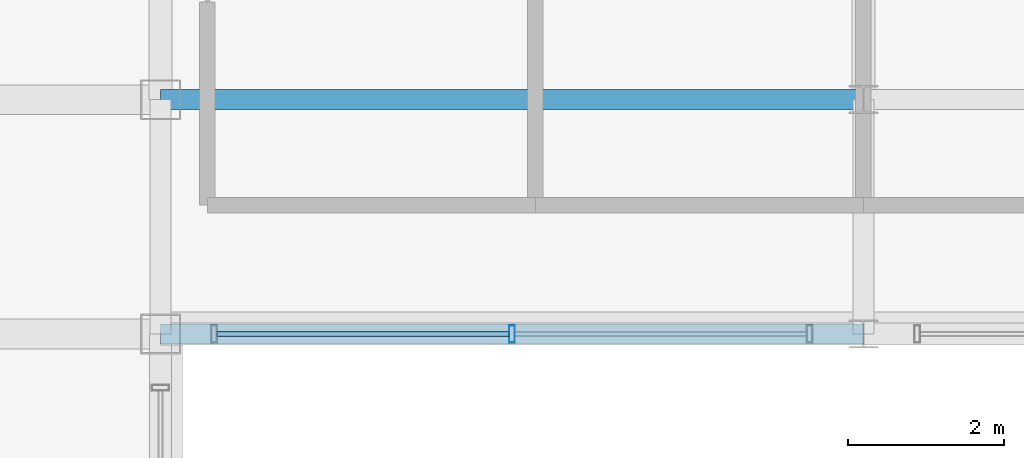
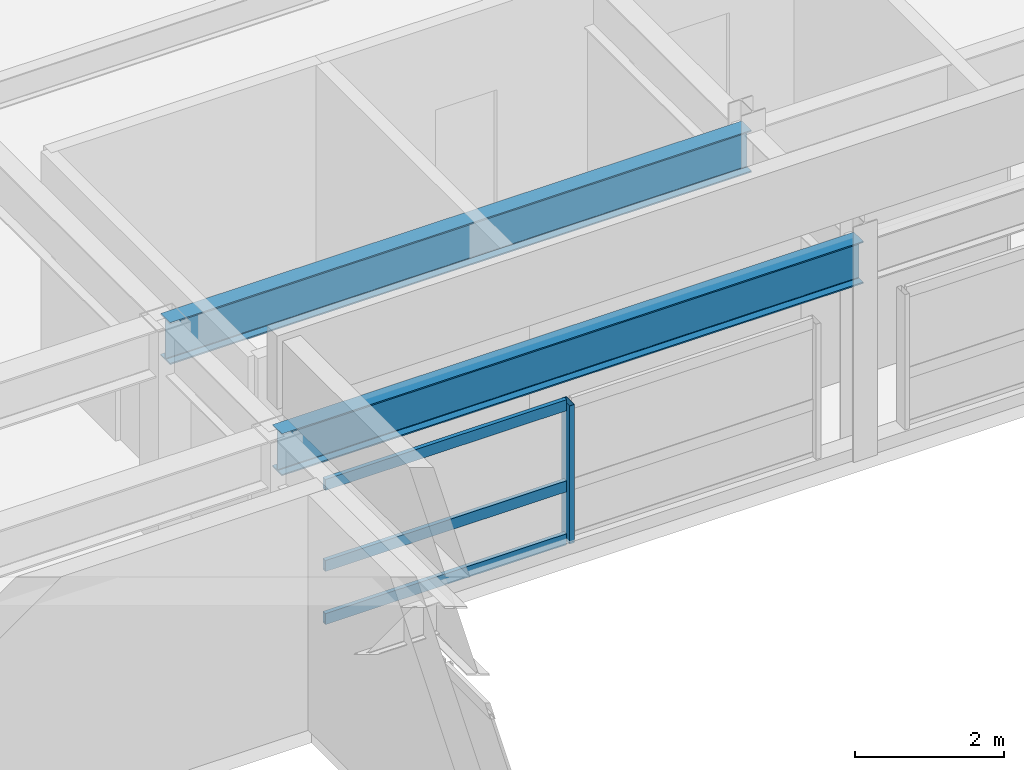
# One storey, part 69 of 108: 4 members, 2 beams, 1 element without a shape of its own.
"""IFC4 building model written with IfcOpenShell, lengths in metres."""

from ifc_helpers import new_model, si_unit, direction, frame, origin, origin_2d, place, context, subcontext, project, spatial, hollow_rectangle, i_section, extrude, material, material_profile, profile_set, type_object, element, aggregate, save


model = new_model("IFC4")

# Units and contexts
model_context = context("Model", 3, precision=1e-05, world=origin(), true_north=direction((0.0, 1.0)))
body_context = subcontext(model_context, "Body", "Model", "MODEL_VIEW")
ifc_project = project(units=[si_unit("LENGTHUNIT", "METRE"), si_unit("AREAUNIT", "SQUARE_METRE"), si_unit("VOLUMEUNIT", "CUBIC_METRE"), si_unit("PLANEANGLEUNIT", "RADIAN"), si_unit("MASSUNIT", "GRAM", prefix="KILO")], contexts=[model_context])

# Site, building, storey
site_placement = place(None, origin())
site = spatial("IfcSite", under=ifc_project, at=site_placement, CompositionType="ELEMENT")
building_placement = place(site_placement, origin())
building = spatial("IfcBuilding", under=site, at=building_placement, Name="Kaldorvane Square Convention Centre", CompositionType="ELEMENT")
storey_placement = place(building_placement, frame((0.0, 0.0, 23.399993896484375)))
storey = spatial("IfcBuildingStorey", under=building, at=storey_placement, Name="L04", CompositionType="ELEMENT", Elevation=23.399993896484375)

# Beams
ifc_material_1 = material(Name="Steel ASTM A992 Gr. 50", Category="steel")
ifc_material_profile_1 = material_profile(ifc_material_1, i_section(OverallWidth=0.25439453125, OverallDepth=0.6880950927734375, WebThickness=0.0131072998046875, FlangeThickness=0.0211029052734375, FilletRadius=0.01519775390625, at=origin_2d()), Name="W27X102")
ifc_profile_set_1 = profile_set([ifc_material_profile_1], Name="Steel ASTM A992 Gr. 50")
beam_type = type_object("IfcBeamType", Name="BM-GR-W27X102", PredefinedType="BEAM", material=ifc_profile_set_1)
for number, where, z_axis, x_axis, name in (
    (1, (138.0, 81.0, 3.1819000244140625), (1.0, 0.0, 0.0), (0.0, 1.0, 0.0), "Primary Girder (L04)"),
    (2, (138.0, 84.0, 3.1819000244140625), (1.0, 0.0, 0.0), (0.0, 1.0, 0.0), "Primary Girder (L04)"),
):
    element("IfcBeam", number, at=place(storey_placement, frame(where, z_axis=z_axis, x_axis=x_axis)), inside=storey, type_object=beam_type, Name=name, PredefinedType="BEAM", context=body_context, shape_type="SweptSolid", body=[
        extrude(i_section(OverallWidth=0.25439453125, OverallDepth=0.6880950927734375, WebThickness=0.0131072998046875, FlangeThickness=0.0211029052734375, FilletRadius=0.01519775390625, at=origin_2d()), origin(), (0.0, 0.0, 1.0), 9.0),
    ])

# Curtain wall, members
ifc_material_2 = material(Name="Anodized Aluminum and Low-E Insulated Glazing", Category="aluminium")
curtain_wall_type = type_object("IfcCurtainWallType", Name="CW-PTS-FC-42", PredefinedType="USERDEFINED", material=ifc_material_2)
curtain_wall_placement = place(storey_placement, origin())
curtain_wall = element("IfcCurtainWall", 3, at=curtain_wall_placement, inside=storey, type_object=curtain_wall_type, Name="Curtain Wall CW-09 (L04)", ObjectType="POINT SUPPORTED GLAZING", PredefinedType="USERDEFINED")
ifc_material_profile_2 = material_profile(ifc_material_2, hollow_rectangle(XDim=0.0749969482421875, YDim=0.220001220703125, WallThickness=0.003997802734375, at=origin_2d()), Name="CWM-220X75")
ifc_profile_set_2 = profile_set([ifc_material_profile_2], Name="Anodized Aluminum and Low-E Insulated Glazing")
member_type_1 = type_object("IfcMemberType", Name="CW-MUL-220", PredefinedType="MULLION", material=ifc_profile_set_2)
member_1_placement = place(storey_placement, frame((142.5, 81.0, 0.1500091552734375), z_axis=(0.0, 0.0, 1.0), x_axis=(1.0, 0.0, 0.0)))
member_1 = element("IfcMember", 4, at=member_1_placement, type_object=member_type_1, Name="CW-09 mullion 2", PredefinedType="MULLION", context=body_context, shape_type="SweptSolid", body=[
    extrude(hollow_rectangle(XDim=0.0749969482421875, YDim=0.220001220703125, WallThickness=0.003997802734375, at=origin_2d()), origin(), (0.0, 0.0, 1.0), 2.2599945068359375),
])
ifc_material_profile_3 = material_profile(ifc_material_2, hollow_rectangle(XDim=0.06500244140625, YDim=0.17999267578125, WallThickness=0.0034942626953125, at=origin_2d()), Name="CWT-180X65")
ifc_profile_set_3 = profile_set([ifc_material_profile_3], Name="Anodized Aluminum and Low-E Insulated Glazing")
member_type_2 = type_object("IfcMemberType", Name="CW-TRN-180", PredefinedType="USERDEFINED", material=ifc_profile_set_3)
member_2_placement = place(storey_placement, frame((138.72500610351562, 81.0, 0.1825103759765625), z_axis=(1.0, 0.0, 0.0), x_axis=(0.0, 1.0, 0.0)))
member_2 = element("IfcMember", 5, at=member_2_placement, type_object=member_type_2, Name="CW-09 transom 1.1", ObjectType="TRANSOM", PredefinedType="USERDEFINED", context=body_context, shape_type="SweptSolid", body=[
    extrude(hollow_rectangle(XDim=0.06500244140625, YDim=0.17999267578125, WallThickness=0.0034942626953125, at=origin_2d()), origin(), (0.0, 0.0, 1.0), 3.73748779296875),
])
member_3_placement = place(storey_placement, frame((138.72500610351562, 81.0, 1.0500030517578125), z_axis=(1.0, 0.0, 0.0), x_axis=(0.0, 1.0, 0.0)))
member_3 = element("IfcMember", 6, at=member_3_placement, type_object=member_type_2, Name="CW-09 transom 1.2", ObjectType="TRANSOM", PredefinedType="USERDEFINED", context=body_context, shape_type="SweptSolid", body=[
    extrude(hollow_rectangle(XDim=0.06500244140625, YDim=0.17999267578125, WallThickness=0.0034942626953125, at=origin_2d()), origin(), (0.0, 0.0, 1.0), 3.73748779296875),
])
member_4_placement = place(storey_placement, frame((138.72500610351562, 81.0, 2.37750244140625), z_axis=(1.0, 0.0, 0.0), x_axis=(0.0, 1.0, 0.0)))
member_4 = element("IfcMember", 7, at=member_4_placement, type_object=member_type_2, Name="CW-09 transom 1.3", ObjectType="TRANSOM", PredefinedType="USERDEFINED", context=body_context, shape_type="SweptSolid", body=[
    extrude(hollow_rectangle(XDim=0.06500244140625, YDim=0.17999267578125, WallThickness=0.0034942626953125, at=origin_2d()), origin(), (0.0, 0.0, 1.0), 3.73748779296875),
])
aggregate(curtain_wall, [member_1, member_2, member_3, member_4])

save(model, "model.ifc")
